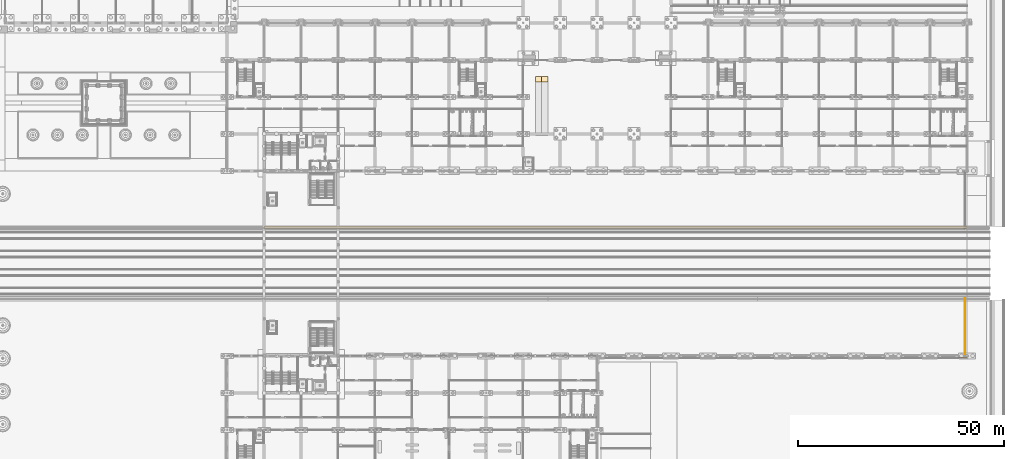
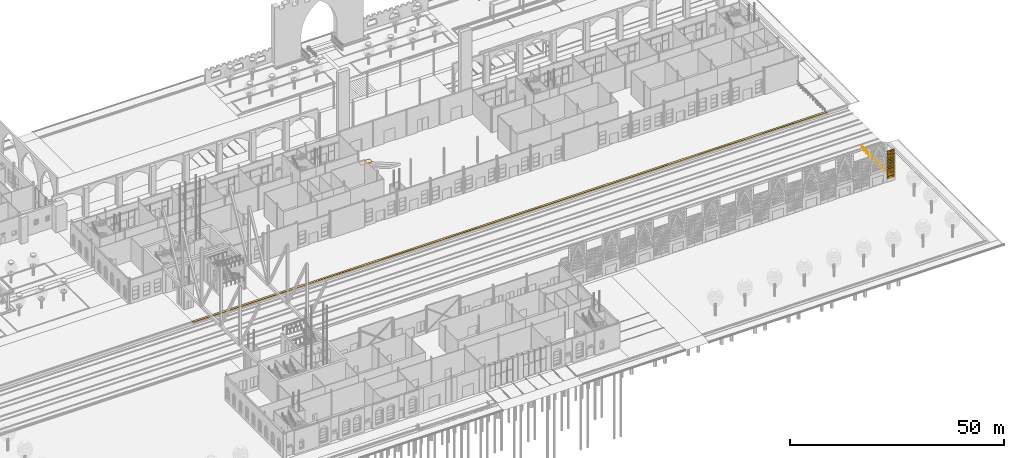
# One storey, part 214 of 250: 3 coverings, 3 shading devices, 1 railing.
"""IFC4 building model written with IfcOpenShell, lengths in metres."""

from ifc_helpers import new_model, si_unit, direction, frame, origin, origin_2d, place, context, subcontext, project, spatial, polyline, circle, outline, extrude, material, layer, layer_set, type_object, element, save


model = new_model("IFC4")

# Units and contexts
model_context = context("Model", 3, precision=1e-05, world=origin(), true_north=direction((0.0, 1.0)))
body_context = subcontext(model_context, "Body", "Model", "MODEL_VIEW")
ifc_project = project(units=[si_unit("LENGTHUNIT", "METRE"), si_unit("AREAUNIT", "SQUARE_METRE"), si_unit("VOLUMEUNIT", "CUBIC_METRE"), si_unit("PLANEANGLEUNIT", "RADIAN"), si_unit("MASSUNIT", "GRAM", prefix="KILO")], contexts=[model_context])

# Site, building, storey
site_placement = place(None, origin())
site = spatial("IfcSite", under=ifc_project, at=site_placement, CompositionType="ELEMENT")
building_placement = place(site_placement, origin())
building = spatial("IfcBuilding", under=site, at=building_placement, Name="Baradari Gate Terminus", CompositionType="ELEMENT")
storey_placement = place(building_placement, origin())
storey = spatial("IfcBuildingStorey", under=building, at=storey_placement, Name="L00", CompositionType="ELEMENT", Elevation=0.0)

# Coverings
ifc_material_1 = material(Name="Stainless steel 1.4301", Category="steel")
ifc_layer_1 = layer(ifc_material_1, 0.050048828125)
ifc_layer_set_1 = layer_set([ifc_layer_1], Name="Stainless steel 1.4301")
covering_type_1 = type_object("IfcCoveringType", Name="Escalator landing plate EL-1", PredefinedType="FLOORING", material=ifc_layer_set_1)
covering_1_placement = place(storey_placement, origin())
element("IfcCovering", 1, at=covering_1_placement, inside=storey, type_object=covering_type_1, Name="Escalator landing plate EL-1 ES-H1 lower", PredefinedType="FLOORING", context=body_context, shape_type="SweptSolid", body=[
    extrude(outline(polyline([(138.0, 102.6171875), (139.5, 102.6171875), (139.5, 104.0), (138.0, 104.0), (138.0, 102.6171875)])), origin(), (0.0, 0.0, 1.0), 0.050048828125),
])
covering_2_placement = place(storey_placement, origin())
element("IfcCovering", 2, at=covering_2_placement, inside=storey, type_object=covering_type_1, Name="Escalator landing plate EL-1 ES-H2 lower", PredefinedType="FLOORING", context=body_context, shape_type="SweptSolid", body=[
    extrude(outline(polyline([(139.5, 102.6171875), (141.0, 102.6171875), (141.0, 104.0), (139.5, 104.0), (139.5, 102.6171875)])), origin(), (0.0, 0.0, 1.0), 0.050048828125),
])

# Railing
ifc_material_2 = material(Name="Stainless steel 1.4301", Category="steel")
railing_type = type_object("IfcRailingType", Name="Guard GR-1 1100", PredefinedType="GUARDRAIL", material=ifc_material_2)
railing_placement = place(storey_placement, frame((242.5, 36.35498046875, 0.0)))
element("IfcRailing", 3, at=railing_placement, inside=storey, type_object=railing_type, Name="Platform end guard P1", PredefinedType="GUARDRAIL", context=body_context, shape_type="SweptSolid", body=[
    extrude(circle(Radius=0.02392578125, at=origin_2d()), frame((0.0, 0.0, 1.076171875), z_axis=(0.0, 1.0, 0.0), x_axis=(-1.0, 0.0, 0.0)), (0.0, 0.0, 1.0), 13.64501953125),
    extrude(circle(Radius=0.02099609375, at=origin_2d()), origin(), (0.0, 0.0, 1.0), 1.052001953125),
    extrude(circle(Radius=0.02099609375, at=origin_2d()), frame((0.0, 1.13720703125, 0.0)), (0.0, 0.0, 1.0), 1.052001953125),
    extrude(circle(Radius=0.02099609375, at=origin_2d()), frame((0.0, 2.274169921875, 0.0)), (0.0, 0.0, 1.0), 1.052001953125),
    extrude(circle(Radius=0.02099609375, at=origin_2d()), frame((0.0, 3.4111328125, 0.0)), (0.0, 0.0, 1.0), 1.052001953125),
    extrude(circle(Radius=0.02099609375, at=origin_2d()), frame((0.0, 4.54833984375, 0.0)), (0.0, 0.0, 1.0), 1.052001953125),
    extrude(circle(Radius=0.02099609375, at=origin_2d()), frame((0.0, 5.685546875, 0.0)), (0.0, 0.0, 1.0), 1.052001953125),
    extrude(circle(Radius=0.02099609375, at=origin_2d()), frame((0.0, 6.822509765625, 0.0)), (0.0, 0.0, 1.0), 1.052001953125),
    extrude(circle(Radius=0.02099609375, at=origin_2d()), frame((0.0, 7.959716796875, 0.0)), (0.0, 0.0, 1.0), 1.052001953125),
    extrude(circle(Radius=0.02099609375, at=origin_2d()), frame((0.0, 9.0966796875, 0.0)), (0.0, 0.0, 1.0), 1.052001953125),
    extrude(circle(Radius=0.02099609375, at=origin_2d()), frame((0.0, 10.23388671875, 0.0)), (0.0, 0.0, 1.0), 1.052001953125),
    extrude(circle(Radius=0.02099609375, at=origin_2d()), frame((0.0, 11.370849609375, 0.0)), (0.0, 0.0, 1.0), 1.052001953125),
    extrude(circle(Radius=0.02099609375, at=origin_2d()), frame((0.0, 12.5078125, 0.0)), (0.0, 0.0, 1.0), 1.052001953125),
    extrude(circle(Radius=0.02099609375, at=origin_2d()), frame((0.0, 13.64501953125, 0.0)), (0.0, 0.0, 1.0), 1.052001953125),
])

# Shading devices
ifc_material_3 = material(Name="Concrete C50/60 precast", Category="concrete")
ifc_layer_2 = layer(ifc_material_3, 0.1201171875)
ifc_layer_set_2 = layer_set([ifc_layer_2], Name="Concrete C50/60 precast")
shading_device_type = type_object("IfcShadingDeviceType", Name="Jali screen panel JS-2 120", PredefinedType="SHUTTER", material=ifc_layer_set_2)
shading_device_1_placement = place(storey_placement, frame((240.89990234375, 35.52001953125, 0.89990234375), z_axis=(0.0, 0.0, 1.0), x_axis=(1.0, 0.0, 0.0)))
element("IfcShadingDevice", 4, at=shading_device_1_placement, inside=storey, type_object=shading_device_type, Name="Jali screen panel JS-2 SC09c row 1 panel 1", PredefinedType="SHUTTER", context=body_context, shape_type="SweptSolid", body=[
    extrude(outline(polyline([(0.0, 0.0), (2.10009765625, 0.0), (2.10009765625, 2.625), (0.0, 2.625), (0.0, 0.0)]), holes=[polyline([(0.340087890625, 0.21875), (0.27490234375, 0.106201171875), (0.14501953125, 0.106201171875), (0.080078125, 0.21875), (0.14501953125, 0.33154296875), (0.27490234375, 0.33154296875), (0.340087890625, 0.21875)]), polyline([(0.760009765625, 0.21875), (0.695068359375, 0.106201171875), (0.56494140625, 0.106201171875), (0.5, 0.21875), (0.56494140625, 0.33154296875), (0.695068359375, 0.33154296875), (0.760009765625, 0.21875)]), polyline([(1.179931640625, 0.21875), (1.114990234375, 0.106201171875), (0.985107421875, 0.106201171875), (0.919921875, 0.21875), (0.985107421875, 0.33154296875), (1.114990234375, 0.33154296875), (1.179931640625, 0.21875)]), polyline([(1.60009765625, 0.21875), (1.534912109375, 0.106201171875), (1.405029296875, 0.106201171875), (1.340087890625, 0.21875), (1.405029296875, 0.33154296875), (1.534912109375, 0.33154296875), (1.60009765625, 0.21875)]), polyline([(2.02001953125, 0.21875), (1.955078125, 0.106201171875), (1.824951171875, 0.106201171875), (1.760009765625, 0.21875), (1.824951171875, 0.33154296875), (1.955078125, 0.33154296875), (2.02001953125, 0.21875)]), polyline([(0.550048828125, 0.65625), (0.485107421875, 0.543701171875), (0.35498046875, 0.543701171875), (0.2900390625, 0.65625), (0.35498046875, 0.76904296875), (0.485107421875, 0.76904296875), (0.550048828125, 0.65625)]), polyline([(0.969970703125, 0.65625), (0.905029296875, 0.543701171875), (0.77490234375, 0.543701171875), (0.7099609375, 0.65625), (0.77490234375, 0.76904296875), (0.905029296875, 0.76904296875), (0.969970703125, 0.65625)]), polyline([(1.389892578125, 0.65625), (1.324951171875, 0.543701171875), (1.195068359375, 0.543701171875), (1.1298828125, 0.65625), (1.195068359375, 0.76904296875), (1.324951171875, 0.76904296875), (1.389892578125, 0.65625)]), polyline([(1.81005859375, 0.65625), (1.7451171875, 0.543701171875), (1.614990234375, 0.543701171875), (1.550048828125, 0.65625), (1.614990234375, 0.76904296875), (1.7451171875, 0.76904296875), (1.81005859375, 0.65625)]), polyline([(0.340087890625, 1.09375), (0.27490234375, 0.981201171875), (0.14501953125, 0.981201171875), (0.080078125, 1.09375), (0.14501953125, 1.20654296875), (0.27490234375, 1.20654296875), (0.340087890625, 1.09375)]), polyline([(0.760009765625, 1.09375), (0.695068359375, 0.981201171875), (0.56494140625, 0.981201171875), (0.5, 1.09375), (0.56494140625, 1.20654296875), (0.695068359375, 1.20654296875), (0.760009765625, 1.09375)]), polyline([(1.179931640625, 1.09375), (1.114990234375, 0.981201171875), (0.985107421875, 0.981201171875), (0.919921875, 1.09375), (0.985107421875, 1.20654296875), (1.114990234375, 1.20654296875), (1.179931640625, 1.09375)]), polyline([(1.60009765625, 1.09375), (1.534912109375, 0.981201171875), (1.405029296875, 0.981201171875), (1.340087890625, 1.09375), (1.405029296875, 1.20654296875), (1.534912109375, 1.20654296875), (1.60009765625, 1.09375)]), polyline([(2.02001953125, 1.09375), (1.955078125, 0.981201171875), (1.824951171875, 0.981201171875), (1.760009765625, 1.09375), (1.824951171875, 1.20654296875), (1.955078125, 1.20654296875), (2.02001953125, 1.09375)]), polyline([(0.550048828125, 1.53125), (0.485107421875, 1.418701171875), (0.35498046875, 1.418701171875), (0.2900390625, 1.53125), (0.35498046875, 1.64404296875), (0.485107421875, 1.64404296875), (0.550048828125, 1.53125)]), polyline([(0.969970703125, 1.53125), (0.905029296875, 1.418701171875), (0.77490234375, 1.418701171875), (0.7099609375, 1.53125), (0.77490234375, 1.64404296875), (0.905029296875, 1.64404296875), (0.969970703125, 1.53125)]), polyline([(1.389892578125, 1.53125), (1.324951171875, 1.418701171875), (1.195068359375, 1.418701171875), (1.1298828125, 1.53125), (1.195068359375, 1.64404296875), (1.324951171875, 1.64404296875), (1.389892578125, 1.53125)]), polyline([(1.81005859375, 1.53125), (1.7451171875, 1.418701171875), (1.614990234375, 1.418701171875), (1.550048828125, 1.53125), (1.614990234375, 1.64404296875), (1.7451171875, 1.64404296875), (1.81005859375, 1.53125)]), polyline([(0.340087890625, 1.96875), (0.27490234375, 1.856201171875), (0.14501953125, 1.856201171875), (0.080078125, 1.96875), (0.14501953125, 2.08154296875), (0.27490234375, 2.08154296875), (0.340087890625, 1.96875)]), polyline([(0.760009765625, 1.96875), (0.695068359375, 1.856201171875), (0.56494140625, 1.856201171875), (0.5, 1.96875), (0.56494140625, 2.08154296875), (0.695068359375, 2.08154296875), (0.760009765625, 1.96875)]), polyline([(1.179931640625, 1.96875), (1.114990234375, 1.856201171875), (0.985107421875, 1.856201171875), (0.919921875, 1.96875), (0.985107421875, 2.08154296875), (1.114990234375, 2.08154296875), (1.179931640625, 1.96875)]), polyline([(1.60009765625, 1.96875), (1.534912109375, 1.856201171875), (1.405029296875, 1.856201171875), (1.340087890625, 1.96875), (1.405029296875, 2.08154296875), (1.534912109375, 2.08154296875), (1.60009765625, 1.96875)]), polyline([(2.02001953125, 1.96875), (1.955078125, 1.856201171875), (1.824951171875, 1.856201171875), (1.760009765625, 1.96875), (1.824951171875, 2.08154296875), (1.955078125, 2.08154296875), (2.02001953125, 1.96875)]), polyline([(0.550048828125, 2.40625), (0.485107421875, 2.293701171875), (0.35498046875, 2.293701171875), (0.2900390625, 2.40625), (0.35498046875, 2.51904296875), (0.485107421875, 2.51904296875), (0.550048828125, 2.40625)]), polyline([(0.969970703125, 2.40625), (0.905029296875, 2.293701171875), (0.77490234375, 2.293701171875), (0.7099609375, 2.40625), (0.77490234375, 2.51904296875), (0.905029296875, 2.51904296875), (0.969970703125, 2.40625)]), polyline([(1.389892578125, 2.40625), (1.324951171875, 2.293701171875), (1.195068359375, 2.293701171875), (1.1298828125, 2.40625), (1.195068359375, 2.51904296875), (1.324951171875, 2.51904296875), (1.389892578125, 2.40625)]), polyline([(1.81005859375, 2.40625), (1.7451171875, 2.293701171875), (1.614990234375, 2.293701171875), (1.550048828125, 2.40625), (1.614990234375, 2.51904296875), (1.7451171875, 2.51904296875), (1.81005859375, 2.40625)])]), frame((0.0, 0.06005859375, 0.0), z_axis=(0.0, -1.0, 0.0), x_axis=(1.0, 0.0, 0.0)), (0.0, 0.0, 1.0), 0.1201171875),
])
shading_device_2_placement = place(storey_placement, frame((240.89990234375, 35.52001953125, 3.52490234375), z_axis=(0.0, 0.0, 1.0), x_axis=(1.0, 0.0, 0.0)))
element("IfcShadingDevice", 5, at=shading_device_2_placement, inside=storey, type_object=shading_device_type, Name="Jali screen panel JS-2 SC09c row 2 panel 1", PredefinedType="SHUTTER", context=body_context, shape_type="SweptSolid", body=[
    extrude(outline(polyline([(0.0, 0.0), (2.10009765625, 0.0), (2.10009765625, 2.625), (0.0, 2.625), (0.0, 0.0)]), holes=[polyline([(0.340087890625, 0.21875), (0.27490234375, 0.106201171875), (0.14501953125, 0.106201171875), (0.080078125, 0.21875), (0.14501953125, 0.33154296875), (0.27490234375, 0.33154296875), (0.340087890625, 0.21875)]), polyline([(0.760009765625, 0.21875), (0.695068359375, 0.106201171875), (0.56494140625, 0.106201171875), (0.5, 0.21875), (0.56494140625, 0.33154296875), (0.695068359375, 0.33154296875), (0.760009765625, 0.21875)]), polyline([(1.179931640625, 0.21875), (1.114990234375, 0.106201171875), (0.985107421875, 0.106201171875), (0.919921875, 0.21875), (0.985107421875, 0.33154296875), (1.114990234375, 0.33154296875), (1.179931640625, 0.21875)]), polyline([(1.60009765625, 0.21875), (1.534912109375, 0.106201171875), (1.405029296875, 0.106201171875), (1.340087890625, 0.21875), (1.405029296875, 0.33154296875), (1.534912109375, 0.33154296875), (1.60009765625, 0.21875)]), polyline([(2.02001953125, 0.21875), (1.955078125, 0.106201171875), (1.824951171875, 0.106201171875), (1.760009765625, 0.21875), (1.824951171875, 0.33154296875), (1.955078125, 0.33154296875), (2.02001953125, 0.21875)]), polyline([(0.550048828125, 0.65625), (0.485107421875, 0.543701171875), (0.35498046875, 0.543701171875), (0.2900390625, 0.65625), (0.35498046875, 0.76904296875), (0.485107421875, 0.76904296875), (0.550048828125, 0.65625)]), polyline([(0.969970703125, 0.65625), (0.905029296875, 0.543701171875), (0.77490234375, 0.543701171875), (0.7099609375, 0.65625), (0.77490234375, 0.76904296875), (0.905029296875, 0.76904296875), (0.969970703125, 0.65625)]), polyline([(1.389892578125, 0.65625), (1.324951171875, 0.543701171875), (1.195068359375, 0.543701171875), (1.1298828125, 0.65625), (1.195068359375, 0.76904296875), (1.324951171875, 0.76904296875), (1.389892578125, 0.65625)]), polyline([(1.81005859375, 0.65625), (1.7451171875, 0.543701171875), (1.614990234375, 0.543701171875), (1.550048828125, 0.65625), (1.614990234375, 0.76904296875), (1.7451171875, 0.76904296875), (1.81005859375, 0.65625)]), polyline([(0.340087890625, 1.09375), (0.27490234375, 0.981201171875), (0.14501953125, 0.981201171875), (0.080078125, 1.09375), (0.14501953125, 1.20654296875), (0.27490234375, 1.20654296875), (0.340087890625, 1.09375)]), polyline([(0.760009765625, 1.09375), (0.695068359375, 0.981201171875), (0.56494140625, 0.981201171875), (0.5, 1.09375), (0.56494140625, 1.20654296875), (0.695068359375, 1.20654296875), (0.760009765625, 1.09375)]), polyline([(1.179931640625, 1.09375), (1.114990234375, 0.981201171875), (0.985107421875, 0.981201171875), (0.919921875, 1.09375), (0.985107421875, 1.20654296875), (1.114990234375, 1.20654296875), (1.179931640625, 1.09375)]), polyline([(1.60009765625, 1.09375), (1.534912109375, 0.981201171875), (1.405029296875, 0.981201171875), (1.340087890625, 1.09375), (1.405029296875, 1.20654296875), (1.534912109375, 1.20654296875), (1.60009765625, 1.09375)]), polyline([(2.02001953125, 1.09375), (1.955078125, 0.981201171875), (1.824951171875, 0.981201171875), (1.760009765625, 1.09375), (1.824951171875, 1.20654296875), (1.955078125, 1.20654296875), (2.02001953125, 1.09375)]), polyline([(0.550048828125, 1.53125), (0.485107421875, 1.418701171875), (0.35498046875, 1.418701171875), (0.2900390625, 1.53125), (0.35498046875, 1.64404296875), (0.485107421875, 1.64404296875), (0.550048828125, 1.53125)]), polyline([(0.969970703125, 1.53125), (0.905029296875, 1.418701171875), (0.77490234375, 1.418701171875), (0.7099609375, 1.53125), (0.77490234375, 1.64404296875), (0.905029296875, 1.64404296875), (0.969970703125, 1.53125)]), polyline([(1.389892578125, 1.53125), (1.324951171875, 1.418701171875), (1.195068359375, 1.418701171875), (1.1298828125, 1.53125), (1.195068359375, 1.64404296875), (1.324951171875, 1.64404296875), (1.389892578125, 1.53125)]), polyline([(1.81005859375, 1.53125), (1.7451171875, 1.418701171875), (1.614990234375, 1.418701171875), (1.550048828125, 1.53125), (1.614990234375, 1.64404296875), (1.7451171875, 1.64404296875), (1.81005859375, 1.53125)]), polyline([(0.340087890625, 1.96875), (0.27490234375, 1.856201171875), (0.14501953125, 1.856201171875), (0.080078125, 1.96875), (0.14501953125, 2.08154296875), (0.27490234375, 2.08154296875), (0.340087890625, 1.96875)]), polyline([(0.760009765625, 1.96875), (0.695068359375, 1.856201171875), (0.56494140625, 1.856201171875), (0.5, 1.96875), (0.56494140625, 2.08154296875), (0.695068359375, 2.08154296875), (0.760009765625, 1.96875)]), polyline([(1.179931640625, 1.96875), (1.114990234375, 1.856201171875), (0.985107421875, 1.856201171875), (0.919921875, 1.96875), (0.985107421875, 2.08154296875), (1.114990234375, 2.08154296875), (1.179931640625, 1.96875)]), polyline([(1.60009765625, 1.96875), (1.534912109375, 1.856201171875), (1.405029296875, 1.856201171875), (1.340087890625, 1.96875), (1.405029296875, 2.08154296875), (1.534912109375, 2.08154296875), (1.60009765625, 1.96875)]), polyline([(2.02001953125, 1.96875), (1.955078125, 1.856201171875), (1.824951171875, 1.856201171875), (1.760009765625, 1.96875), (1.824951171875, 2.08154296875), (1.955078125, 2.08154296875), (2.02001953125, 1.96875)]), polyline([(0.550048828125, 2.40625), (0.485107421875, 2.293701171875), (0.35498046875, 2.293701171875), (0.2900390625, 2.40625), (0.35498046875, 2.51904296875), (0.485107421875, 2.51904296875), (0.550048828125, 2.40625)]), polyline([(0.969970703125, 2.40625), (0.905029296875, 2.293701171875), (0.77490234375, 2.293701171875), (0.7099609375, 2.40625), (0.77490234375, 2.51904296875), (0.905029296875, 2.51904296875), (0.969970703125, 2.40625)]), polyline([(1.389892578125, 2.40625), (1.324951171875, 2.293701171875), (1.195068359375, 2.293701171875), (1.1298828125, 2.40625), (1.195068359375, 2.51904296875), (1.324951171875, 2.51904296875), (1.389892578125, 2.40625)]), polyline([(1.81005859375, 2.40625), (1.7451171875, 2.293701171875), (1.614990234375, 2.293701171875), (1.550048828125, 2.40625), (1.614990234375, 2.51904296875), (1.7451171875, 2.51904296875), (1.81005859375, 2.40625)])]), frame((0.0, 0.06005859375, 0.0), z_axis=(0.0, -1.0, 0.0), x_axis=(1.0, 0.0, 0.0)), (0.0, 0.0, 1.0), 0.1201171875),
])
shading_device_3_placement = place(storey_placement, frame((240.89990234375, 35.52001953125, 6.14990234375), z_axis=(0.0, 0.0, 1.0), x_axis=(1.0, 0.0, 0.0)))
element("IfcShadingDevice", 6, at=shading_device_3_placement, inside=storey, type_object=shading_device_type, Name="Jali screen panel JS-2 SC09c row 3 panel 1", PredefinedType="SHUTTER", context=body_context, shape_type="SweptSolid", body=[
    extrude(outline(polyline([(0.0, 0.0), (2.10009765625, 0.0), (2.10009765625, 2.625), (0.0, 2.625), (0.0, 0.0)]), holes=[polyline([(0.340087890625, 0.21875), (0.27490234375, 0.106201171875), (0.14501953125, 0.106201171875), (0.080078125, 0.21875), (0.14501953125, 0.33154296875), (0.27490234375, 0.33154296875), (0.340087890625, 0.21875)]), polyline([(0.760009765625, 0.21875), (0.695068359375, 0.106201171875), (0.56494140625, 0.106201171875), (0.5, 0.21875), (0.56494140625, 0.33154296875), (0.695068359375, 0.33154296875), (0.760009765625, 0.21875)]), polyline([(1.179931640625, 0.21875), (1.114990234375, 0.106201171875), (0.985107421875, 0.106201171875), (0.919921875, 0.21875), (0.985107421875, 0.33154296875), (1.114990234375, 0.33154296875), (1.179931640625, 0.21875)]), polyline([(1.60009765625, 0.21875), (1.534912109375, 0.106201171875), (1.405029296875, 0.106201171875), (1.340087890625, 0.21875), (1.405029296875, 0.33154296875), (1.534912109375, 0.33154296875), (1.60009765625, 0.21875)]), polyline([(2.02001953125, 0.21875), (1.955078125, 0.106201171875), (1.824951171875, 0.106201171875), (1.760009765625, 0.21875), (1.824951171875, 0.33154296875), (1.955078125, 0.33154296875), (2.02001953125, 0.21875)]), polyline([(0.550048828125, 0.65625), (0.485107421875, 0.543701171875), (0.35498046875, 0.543701171875), (0.2900390625, 0.65625), (0.35498046875, 0.76904296875), (0.485107421875, 0.76904296875), (0.550048828125, 0.65625)]), polyline([(0.969970703125, 0.65625), (0.905029296875, 0.543701171875), (0.77490234375, 0.543701171875), (0.7099609375, 0.65625), (0.77490234375, 0.76904296875), (0.905029296875, 0.76904296875), (0.969970703125, 0.65625)]), polyline([(1.389892578125, 0.65625), (1.324951171875, 0.543701171875), (1.195068359375, 0.543701171875), (1.1298828125, 0.65625), (1.195068359375, 0.76904296875), (1.324951171875, 0.76904296875), (1.389892578125, 0.65625)]), polyline([(1.81005859375, 0.65625), (1.7451171875, 0.543701171875), (1.614990234375, 0.543701171875), (1.550048828125, 0.65625), (1.614990234375, 0.76904296875), (1.7451171875, 0.76904296875), (1.81005859375, 0.65625)]), polyline([(0.340087890625, 1.09375), (0.27490234375, 0.981201171875), (0.14501953125, 0.981201171875), (0.080078125, 1.09375), (0.14501953125, 1.20654296875), (0.27490234375, 1.20654296875), (0.340087890625, 1.09375)]), polyline([(0.760009765625, 1.09375), (0.695068359375, 0.981201171875), (0.56494140625, 0.981201171875), (0.5, 1.09375), (0.56494140625, 1.20654296875), (0.695068359375, 1.20654296875), (0.760009765625, 1.09375)]), polyline([(1.179931640625, 1.09375), (1.114990234375, 0.981201171875), (0.985107421875, 0.981201171875), (0.919921875, 1.09375), (0.985107421875, 1.20654296875), (1.114990234375, 1.20654296875), (1.179931640625, 1.09375)]), polyline([(1.60009765625, 1.09375), (1.534912109375, 0.981201171875), (1.405029296875, 0.981201171875), (1.340087890625, 1.09375), (1.405029296875, 1.20654296875), (1.534912109375, 1.20654296875), (1.60009765625, 1.09375)]), polyline([(2.02001953125, 1.09375), (1.955078125, 0.981201171875), (1.824951171875, 0.981201171875), (1.760009765625, 1.09375), (1.824951171875, 1.20654296875), (1.955078125, 1.20654296875), (2.02001953125, 1.09375)]), polyline([(0.550048828125, 1.53125), (0.485107421875, 1.418701171875), (0.35498046875, 1.418701171875), (0.2900390625, 1.53125), (0.35498046875, 1.64404296875), (0.485107421875, 1.64404296875), (0.550048828125, 1.53125)]), polyline([(0.969970703125, 1.53125), (0.905029296875, 1.418701171875), (0.77490234375, 1.418701171875), (0.7099609375, 1.53125), (0.77490234375, 1.64404296875), (0.905029296875, 1.64404296875), (0.969970703125, 1.53125)]), polyline([(1.389892578125, 1.53125), (1.324951171875, 1.418701171875), (1.195068359375, 1.418701171875), (1.1298828125, 1.53125), (1.195068359375, 1.64404296875), (1.324951171875, 1.64404296875), (1.389892578125, 1.53125)]), polyline([(1.81005859375, 1.53125), (1.7451171875, 1.418701171875), (1.614990234375, 1.418701171875), (1.550048828125, 1.53125), (1.614990234375, 1.64404296875), (1.7451171875, 1.64404296875), (1.81005859375, 1.53125)]), polyline([(0.340087890625, 1.96875), (0.27490234375, 1.856201171875), (0.14501953125, 1.856201171875), (0.080078125, 1.96875), (0.14501953125, 2.08154296875), (0.27490234375, 2.08154296875), (0.340087890625, 1.96875)]), polyline([(0.760009765625, 1.96875), (0.695068359375, 1.856201171875), (0.56494140625, 1.856201171875), (0.5, 1.96875), (0.56494140625, 2.08154296875), (0.695068359375, 2.08154296875), (0.760009765625, 1.96875)]), polyline([(1.179931640625, 1.96875), (1.114990234375, 1.856201171875), (0.985107421875, 1.856201171875), (0.919921875, 1.96875), (0.985107421875, 2.08154296875), (1.114990234375, 2.08154296875), (1.179931640625, 1.96875)]), polyline([(1.60009765625, 1.96875), (1.534912109375, 1.856201171875), (1.405029296875, 1.856201171875), (1.340087890625, 1.96875), (1.405029296875, 2.08154296875), (1.534912109375, 2.08154296875), (1.60009765625, 1.96875)]), polyline([(2.02001953125, 1.96875), (1.955078125, 1.856201171875), (1.824951171875, 1.856201171875), (1.760009765625, 1.96875), (1.824951171875, 2.08154296875), (1.955078125, 2.08154296875), (2.02001953125, 1.96875)]), polyline([(0.550048828125, 2.40625), (0.485107421875, 2.293701171875), (0.35498046875, 2.293701171875), (0.2900390625, 2.40625), (0.35498046875, 2.51904296875), (0.485107421875, 2.51904296875), (0.550048828125, 2.40625)]), polyline([(0.969970703125, 2.40625), (0.905029296875, 2.293701171875), (0.77490234375, 2.293701171875), (0.7099609375, 2.40625), (0.77490234375, 2.51904296875), (0.905029296875, 2.51904296875), (0.969970703125, 2.40625)]), polyline([(1.389892578125, 2.40625), (1.324951171875, 2.293701171875), (1.195068359375, 2.293701171875), (1.1298828125, 2.40625), (1.195068359375, 2.51904296875), (1.324951171875, 2.51904296875), (1.389892578125, 2.40625)]), polyline([(1.81005859375, 2.40625), (1.7451171875, 2.293701171875), (1.614990234375, 2.293701171875), (1.550048828125, 2.40625), (1.614990234375, 2.51904296875), (1.7451171875, 2.51904296875), (1.81005859375, 2.40625)])]), frame((0.0, 0.06005859375, 0.0), z_axis=(0.0, -1.0, 0.0), x_axis=(1.0, 0.0, 0.0)), (0.0, 0.0, 1.0), 0.1201171875),
])

# Covering
ifc_material_4 = material(Name="Concrete tactile paving, light grey", Category="concrete")
ifc_layer_3 = layer(ifc_material_4, 0.010009765625)
ifc_layer_set_3 = layer_set([ifc_layer_3], Name="Concrete tactile paving, light grey")
covering_type_2 = type_object("IfcCoveringType", Name="Tactile warning paving TAC-1 10", PredefinedType="FLOORING", material=ifc_layer_set_3)
covering_3_placement = place(storey_placement, origin())
element("IfcCovering", 7, at=covering_3_placement, inside=storey, type_object=covering_type_2, Name="Tactile warning paving, platform 2", PredefinedType="FLOORING", context=body_context, shape_type="SweptSolid", body=[
    extrude(outline(polyline([(243.0, 66.949951171875), (243.0, 67.550048828125), (72.0, 67.550048828125), (72.0, 66.949951171875), (243.0, 66.949951171875)])), origin(), (0.0, 0.0, 1.0), 0.010009765625),
])

save(model, "model.ifc")
